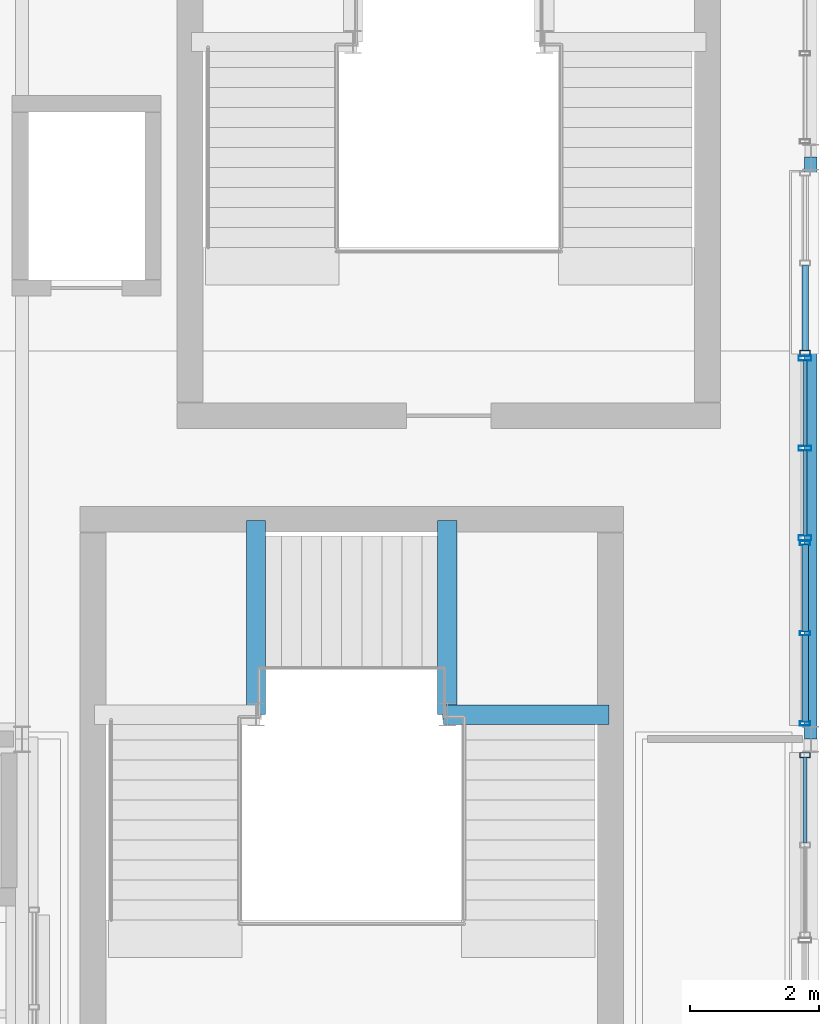
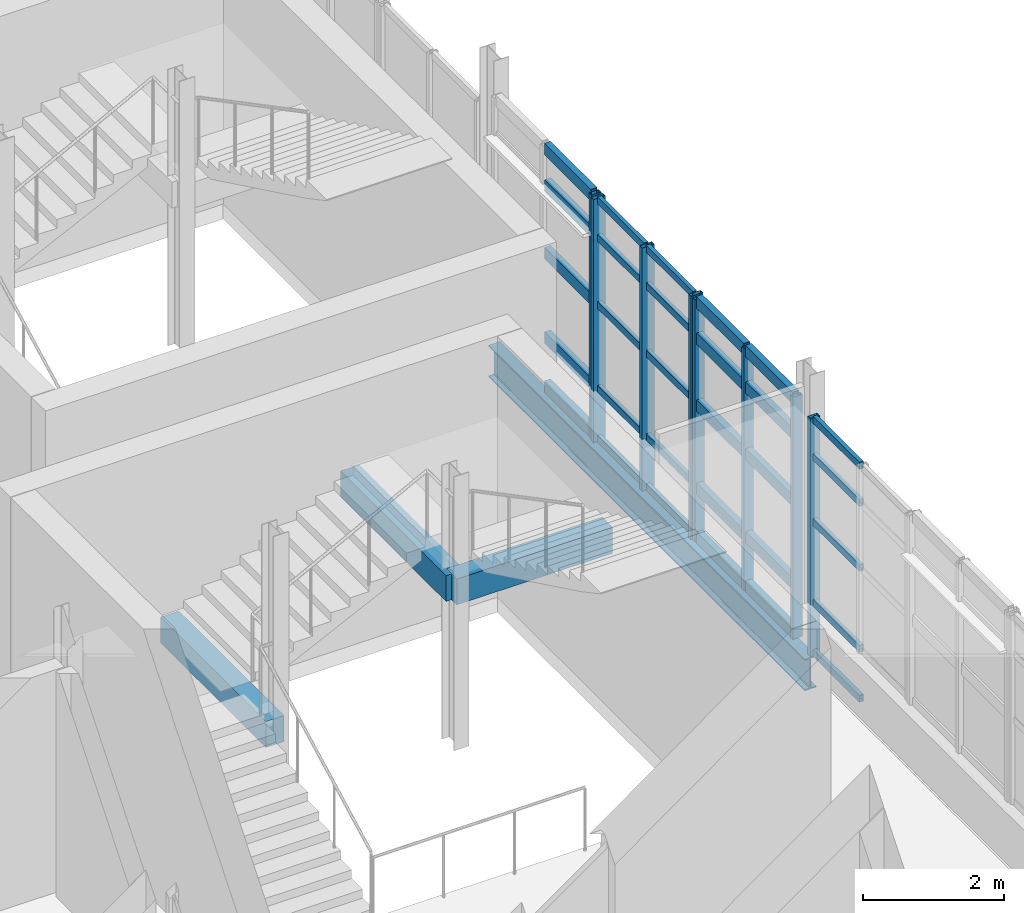
# One storey, part 55 of 100: 38 members, 4 beams, 4 elements without a shape of their own.
"""IFC4 building model written with IfcOpenShell, lengths in metres."""

from ifc_helpers import new_model, si_unit, derived_unit, direction, frame, origin, origin_2d, place, context, subcontext, project, spatial, rectangle, hollow_rectangle, i_section, extrude, material, layer, layer_set, material_profile, profile_set, type_object, element, aggregate, save


model = new_model("IFC4")

# Units and contexts
model_context = context("Model", 3, precision=1e-05, world=origin(), true_north=direction((0.0, 1.0)))
body_context = subcontext(model_context, "Body", "Model", "MODEL_VIEW")
ifc_project = project(units=[si_unit("LENGTHUNIT", "METRE"), si_unit("AREAUNIT", "SQUARE_METRE"), si_unit("VOLUMEUNIT", "CUBIC_METRE"), si_unit("PLANEANGLEUNIT", "RADIAN"), si_unit("MASSUNIT", "GRAM", prefix="KILO"), derived_unit("THERMALTRANSMITTANCEUNIT", [(si_unit("POWERUNIT", "WATT"), 1), (si_unit("LENGTHUNIT", "METRE"), -2), (si_unit("THERMODYNAMICTEMPERATUREUNIT", "KELVIN"), -1)])], contexts=[model_context])

# Site, building, storey
site_placement = place(None, origin())
site = spatial("IfcSite", under=ifc_project, at=site_placement, CompositionType="ELEMENT")
building_placement = place(site_placement, origin())
building = spatial("IfcBuilding", under=site, at=building_placement, Name="Nallur Shell Playhouse", CompositionType="ELEMENT")
storey_placement = place(building_placement, frame((0.0, 0.0, 10.199951171875)))
storey = spatial("IfcBuildingStorey", under=building, at=storey_placement, Name="L03", CompositionType="ELEMENT", Elevation=10.199951171875)

# Beams
ifc_material_1 = material(Name="Concrete M35", Category="concrete")
ifc_material_profile_1 = material_profile(ifc_material_1, rectangle(XDim=0.300048828125, YDim=0.449951171875, at=origin_2d()), Name="RC 300x450")
ifc_profile_set_1 = profile_set([ifc_material_profile_1], Name="Concrete M35")
beam_type_1 = type_object("IfcBeamType", Name="BM-SPN-300x450", PredefinedType="SPANDREL", material=ifc_profile_set_1)
beam_1_placement = place(storey_placement, frame((151.219970703125, 41.3798828125, 1.22509765625), z_axis=(0.0, 1.0, 0.0), x_axis=(-1.0, 0.0, 0.0)))
element("IfcBeam", 1, at=beam_1_placement, inside=storey, type_object=beam_type_1, Name="Stair ST-09-L03 L1 east bearer beam", PredefinedType="SPANDREL", context=body_context, shape_type="SweptSolid", body=[
    extrude(rectangle(XDim=0.300048828125, YDim=0.449951171875, at=origin_2d()), origin(), (0.0, 0.0, 1.0), 3.0),
])
beam_2_placement = place(storey_placement, frame((154.1201171875, 41.3798828125, 2.72509765625), z_axis=(1.0, 0.0, 0.0), x_axis=(0.0, 1.0, 0.0)))
element("IfcBeam", 2, at=beam_2_placement, inside=storey, type_object=beam_type_1, Name="Stair ST-09-L03 L2 south bearer beam", PredefinedType="SPANDREL", context=body_context, shape_type="SweptSolid", body=[
    extrude(rectangle(XDim=0.300048828125, YDim=0.449951171875, at=origin_2d()), origin(), (0.0, 0.0, 1.0), 2.559814453125),
])
beam_3_placement = place(storey_placement, frame((154.179931640625, 41.3798828125, 2.72509765625), z_axis=(0.0, 1.0, 0.0), x_axis=(-1.0, 0.0, 0.0)))
element("IfcBeam", 3, at=beam_3_placement, inside=storey, type_object=beam_type_1, Name="Stair ST-09-L03 L2 west bearer beam", PredefinedType="SPANDREL", context=body_context, shape_type="SweptSolid", body=[
    extrude(rectangle(XDim=0.300048828125, YDim=0.449951171875, at=origin_2d()), origin(), (0.0, 0.0, 1.0), 3.0),
])
ifc_material_2 = material(Name="Steel E350", Category="steel")
ifc_material_profile_2 = material_profile(ifc_material_2, i_section(OverallWidth=0.18994140625, OverallDepth=0.550048828125, WebThickness=0.01123046875, FlangeThickness=0.019287109375, FilletRadius=0.01806640625, at=origin_2d()), Name="ISMB 550")
ifc_profile_set_2 = profile_set([ifc_material_profile_2], Name="Steel E350")
beam_type_2 = type_object("IfcBeamType", Name="BM-ST-ISMB550", PredefinedType="BEAM", material=ifc_profile_set_2)
beam_4_placement = place(storey_placement, frame((159.800048828125, 41.0, -0.534912109375), z_axis=(0.0, 1.0, 0.0), x_axis=(-1.0, 0.0, 0.0)))
element("IfcBeam", 4, at=beam_4_placement, inside=storey, type_object=beam_type_2, Name="L03 girder Y-19-681", PredefinedType="BEAM", context=body_context, shape_type="SweptSolid", body=[
    extrude(i_section(OverallWidth=0.18994140625, OverallDepth=0.550048828125, WebThickness=0.01123046875, FlangeThickness=0.019287109375, FilletRadius=0.01806640625, at=origin_2d()), origin(), (0.0, 0.0, 1.0), 9.0),
])

# Curtain wall, member
ifc_material_3 = material(Name="Anodised Aluminium Double-Glazed Facade System", Category="aluminium")
ifc_layer_1 = layer(ifc_material_3, 0.176025390625)
ifc_layer_set_1 = layer_set([ifc_layer_1], Name="Anodised Aluminium Double-Glazed Facade System")
curtain_wall_type_1 = type_object("IfcCurtainWallType", Name="CW-UNIT-16", PredefinedType="NOTDEFINED", material=ifc_layer_set_1)
curtain_wall_1_placement = place(storey_placement, origin())
curtain_wall_1 = element("IfcCurtainWall", 5, at=curtain_wall_1_placement, inside=storey, type_object=curtain_wall_type_1, Name="Unitised curtain wall CW-080 (L03)", PredefinedType="NOTDEFINED")
ifc_material_4 = material(Name="Aluminium Alloy 6063-T6 Mullion", Category="aluminium")
ifc_material_profile_3 = material_profile(ifc_material_4, hollow_rectangle(XDim=0.080078125, YDim=0.159912109375, WallThickness=0.006103515625, at=origin_2d()), Name="RHS 160x80x6")
ifc_profile_set_3 = profile_set([ifc_material_profile_3], Name="Aluminium Alloy 6063-T6 Mullion")
member_type_1 = type_object("IfcMemberType", Name="MB-CW-MUL150", PredefinedType="MULLION", material=ifc_profile_set_3)
member_1_placement = place(storey_placement, frame((159.7099609375, 46.9755859375, -0.014892578125), z_axis=(0.0, 0.0, 1.0), x_axis=(0.0, -1.0, 0.0)))
member_1 = element("IfcMember", 6, at=member_1_placement, type_object=member_type_1, Name="CW-16 mullion 3", PredefinedType="MULLION", context=body_context, shape_type="SweptSolid", body=[
    extrude(hollow_rectangle(XDim=0.080078125, YDim=0.159912109375, WallThickness=0.006103515625, at=origin_2d()), origin(), (0.0, 0.0, 1.0), 4.243896484375),
])

ifc_layer_2 = layer(ifc_material_3, 0.1640625)
ifc_layer_set_2 = layer_set([ifc_layer_2], Name="Anodised Aluminium Double-Glazed Facade System")
curtain_wall_type_2 = type_object("IfcCurtainWallType", Name="CW-UNIT-19", PredefinedType="NOTDEFINED", material=ifc_layer_set_2)
curtain_wall_2_placement = place(storey_placement, origin())
curtain_wall_2 = element("IfcCurtainWall", 7, at=curtain_wall_2_placement, inside=storey, type_object=curtain_wall_type_2, Name="Unitised curtain wall CW-083 (L03)", PredefinedType="NOTDEFINED")
member_2_placement = place(storey_placement, frame((159.7099609375, 40.751953125, -0.014892578125), z_axis=(0.0, 0.0, 1.0), x_axis=(0.0, -1.0, 0.0)))
member_2 = element("IfcMember", 8, at=member_2_placement, type_object=member_type_1, Name="CW-19 mullion 1", PredefinedType="MULLION", context=body_context, shape_type="SweptSolid", body=[
    extrude(hollow_rectangle(XDim=0.080078125, YDim=0.159912109375, WallThickness=0.006103515625, at=origin_2d()), origin(), (0.0, 0.0, 1.0), 4.134033203125),
])

# Curtain wall, members
ifc_layer_3 = layer(ifc_material_3, 0.159912109375)
ifc_layer_set_3 = layer_set([ifc_layer_3], Name="Anodised Aluminium Double-Glazed Facade System")
curtain_wall_type_3 = type_object("IfcCurtainWallType", Name="CW-UNIT-18", PredefinedType="NOTDEFINED", material=ifc_layer_set_3)
curtain_wall_3_placement = place(storey_placement, origin())
curtain_wall_3 = element("IfcCurtainWall", 9, at=curtain_wall_3_placement, inside=storey, type_object=curtain_wall_type_3, Name="Unitised curtain wall CW-082 (L03)", PredefinedType="NOTDEFINED")
ifc_material_profile_4 = material_profile(ifc_material_4, hollow_rectangle(XDim=0.06494140625, YDim=0.159912109375, WallThickness=0.00390625, at=origin_2d()), Name="ALU 65x160x4")
ifc_profile_set_4 = profile_set([ifc_material_profile_4], Name="Aluminium Alloy 6063-T6 Mullion")
member_type_2 = type_object("IfcMemberType", Name="MB-CW-MUL160", PredefinedType="MULLION", material=ifc_profile_set_4)
member_3_placement = place(storey_placement, frame((159.7099609375, 44.03173828125, -0.014892578125), z_axis=(0.0, 0.0, 1.0), x_axis=(0.0, -1.0, 0.0)))
member_3 = element("IfcMember", 10, at=member_3_placement, type_object=member_type_2, Name="CW-18 mullion 1", PredefinedType="MULLION", context=body_context, shape_type="SweptSolid", body=[
    extrude(hollow_rectangle(XDim=0.06494140625, YDim=0.159912109375, WallThickness=0.00390625, at=origin_2d()), origin(), (0.0, 0.0, 1.0), 4.203857421875),
])
member_4_placement = place(storey_placement, frame((159.7099609375, 42.63623046875, -0.014892578125), z_axis=(0.0, 0.0, 1.0), x_axis=(0.0, -1.0, 0.0)))
member_4 = element("IfcMember", 11, at=member_4_placement, type_object=member_type_2, Name="CW-18 mullion 2", PredefinedType="MULLION", context=body_context, shape_type="SweptSolid", body=[
    extrude(hollow_rectangle(XDim=0.06494140625, YDim=0.159912109375, WallThickness=0.00390625, at=origin_2d()), origin(), (0.0, 0.0, 1.0), 4.203857421875),
])
member_5_placement = place(storey_placement, frame((159.7099609375, 41.240478515625, -0.014892578125), z_axis=(0.0, 0.0, 1.0), x_axis=(0.0, -1.0, 0.0)))
member_5 = element("IfcMember", 12, at=member_5_placement, type_object=member_type_2, Name="CW-18 mullion 3", PredefinedType="MULLION", context=body_context, shape_type="SweptSolid", body=[
    extrude(hollow_rectangle(XDim=0.06494140625, YDim=0.159912109375, WallThickness=0.00390625, at=origin_2d()), origin(), (0.0, 0.0, 1.0), 4.203857421875),
])

ifc_layer_4 = layer(ifc_material_3, 0.179931640625)
ifc_layer_set_4 = layer_set([ifc_layer_4], Name="Anodised Aluminium Double-Glazed Facade System")
curtain_wall_type_4 = type_object("IfcCurtainWallType", Name="CW-UNIT-17", PredefinedType="NOTDEFINED", material=ifc_layer_set_4)
curtain_wall_4_placement = place(storey_placement, origin())
curtain_wall_4 = element("IfcCurtainWall", 13, at=curtain_wall_4_placement, inside=storey, type_object=curtain_wall_type_4, Name="Unitised curtain wall CW-081 (L03)", PredefinedType="NOTDEFINED")
ifc_material_profile_5 = material_profile(ifc_material_4, hollow_rectangle(XDim=0.074951171875, YDim=0.199951171875, WallThickness=0.0048828125, at=origin_2d()), Name="ALU 75x200x5")
ifc_profile_set_5 = profile_set([ifc_material_profile_5], Name="Aluminium Alloy 6063-T6 Mullion")
member_type_3 = type_object("IfcMemberType", Name="MB-CW-MUL180", PredefinedType="MULLION", material=ifc_profile_set_5)
member_6_placement = place(storey_placement, frame((159.7099609375, 46.88818359375, -0.014892578125), z_axis=(0.0, 0.0, 1.0), x_axis=(0.0, -1.0, 0.0)))
member_6 = element("IfcMember", 14, at=member_6_placement, type_object=member_type_3, Name="CW-17 mullion 1", PredefinedType="MULLION", context=body_context, shape_type="SweptSolid", body=[
    extrude(hollow_rectangle(XDim=0.074951171875, YDim=0.199951171875, WallThickness=0.0048828125, at=origin_2d()), origin(), (0.0, 0.0, 1.0), 4.223876953125),
])
member_7_placement = place(storey_placement, frame((159.7099609375, 45.5, -0.014892578125), z_axis=(0.0, 0.0, 1.0), x_axis=(0.0, -1.0, 0.0)))
member_7 = element("IfcMember", 15, at=member_7_placement, type_object=member_type_3, Name="CW-17 mullion 2", PredefinedType="MULLION", context=body_context, shape_type="SweptSolid", body=[
    extrude(hollow_rectangle(XDim=0.074951171875, YDim=0.199951171875, WallThickness=0.0048828125, at=origin_2d()), origin(), (0.0, 0.0, 1.0), 4.223876953125),
])
member_8_placement = place(storey_placement, frame((159.7099609375, 44.11181640625, -0.014892578125), z_axis=(0.0, 0.0, 1.0), x_axis=(0.0, -1.0, 0.0)))
member_8 = element("IfcMember", 16, at=member_8_placement, type_object=member_type_3, Name="CW-17 mullion 3", PredefinedType="MULLION", context=body_context, shape_type="SweptSolid", body=[
    extrude(hollow_rectangle(XDim=0.074951171875, YDim=0.199951171875, WallThickness=0.0048828125, at=origin_2d()), origin(), (0.0, 0.0, 1.0), 4.223876953125),
])
ifc_material_5 = material(Name="Aluminium Alloy 6063-T6 Transom", Category="aluminium")
ifc_material_profile_6 = material_profile(ifc_material_5, hollow_rectangle(XDim=0.06494140625, YDim=0.1201171875, WallThickness=0.00390625, at=origin_2d()), Name="ALU 65x120x4")
ifc_profile_set_6 = profile_set([ifc_material_profile_6], Name="Aluminium Alloy 6063-T6 Transom")
member_type_4 = type_object("IfcMemberType", Name="MB-CW-TRN120", PredefinedType="USERDEFINED", material=ifc_profile_set_6)
member_9_placement = place(storey_placement, frame((159.7099609375, 46.858642578125, 0.032470703125), z_axis=(0.0, -1.0, 0.0), x_axis=(1.0, 0.0, 0.0)))
member_9 = element("IfcMember", 17, at=member_9_placement, type_object=member_type_4, Name="CW-17 transom 1.1", ObjectType="TRANSOM", PredefinedType="USERDEFINED", context=body_context, shape_type="SweptSolid", body=[
    extrude(hollow_rectangle(XDim=0.06494140625, YDim=0.1201171875, WallThickness=0.00390625, at=origin_2d()), origin(), (0.0, 0.0, 1.0), 1.3291015625),
])
member_10_placement = place(storey_placement, frame((159.7099609375, 46.858642578125, 0.900146484375), z_axis=(0.0, -1.0, 0.0), x_axis=(1.0, 0.0, 0.0)))
member_10 = element("IfcMember", 18, at=member_10_placement, type_object=member_type_4, Name="CW-17 transom 1.2", ObjectType="TRANSOM", PredefinedType="USERDEFINED", context=body_context, shape_type="SweptSolid", body=[
    extrude(hollow_rectangle(XDim=0.06494140625, YDim=0.1201171875, WallThickness=0.00390625, at=origin_2d()), origin(), (0.0, 0.0, 1.0), 1.3291015625),
])
member_11_placement = place(storey_placement, frame((159.7099609375, 46.858642578125, 2.35498046875), z_axis=(0.0, -1.0, 0.0), x_axis=(1.0, 0.0, 0.0)))
member_11 = element("IfcMember", 19, at=member_11_placement, type_object=member_type_4, Name="CW-17 transom 1.3", ObjectType="TRANSOM", PredefinedType="USERDEFINED", context=body_context, shape_type="SweptSolid", body=[
    extrude(hollow_rectangle(XDim=0.06494140625, YDim=0.1201171875, WallThickness=0.00390625, at=origin_2d()), origin(), (0.0, 0.0, 1.0), 1.3291015625),
])
member_12_placement = place(storey_placement, frame((159.7099609375, 46.858642578125, 3.525146484375), z_axis=(0.0, -1.0, 0.0), x_axis=(1.0, 0.0, 0.0)))
member_12 = element("IfcMember", 20, at=member_12_placement, type_object=member_type_4, Name="CW-17 transom 1.4", ObjectType="TRANSOM", PredefinedType="USERDEFINED", context=body_context, shape_type="SweptSolid", body=[
    extrude(hollow_rectangle(XDim=0.06494140625, YDim=0.1201171875, WallThickness=0.00390625, at=origin_2d()), origin(), (0.0, 0.0, 1.0), 1.3291015625),
])
member_13_placement = place(storey_placement, frame((159.7099609375, 46.858642578125, 4.172607421875), z_axis=(0.0, -1.0, 0.0), x_axis=(1.0, 0.0, 0.0)))
member_13 = element("IfcMember", 21, at=member_13_placement, type_object=member_type_4, Name="CW-17 transom 1.5", ObjectType="TRANSOM", PredefinedType="USERDEFINED", context=body_context, shape_type="SweptSolid", body=[
    extrude(hollow_rectangle(XDim=0.06494140625, YDim=0.1201171875, WallThickness=0.00390625, at=origin_2d()), origin(), (0.0, 0.0, 1.0), 1.3291015625),
])
member_14_placement = place(storey_placement, frame((159.7099609375, 45.470458984375, 0.032470703125), z_axis=(0.0, -1.0, 0.0), x_axis=(1.0, 0.0, 0.0)))
member_14 = element("IfcMember", 22, at=member_14_placement, type_object=member_type_4, Name="CW-17 transom 2.1", ObjectType="TRANSOM", PredefinedType="USERDEFINED", context=body_context, shape_type="SweptSolid", body=[
    extrude(hollow_rectangle(XDim=0.06494140625, YDim=0.1201171875, WallThickness=0.00390625, at=origin_2d()), origin(), (0.0, 0.0, 1.0), 1.3291015625),
])
member_15_placement = place(storey_placement, frame((159.7099609375, 45.470458984375, 0.900146484375), z_axis=(0.0, -1.0, 0.0), x_axis=(1.0, 0.0, 0.0)))
member_15 = element("IfcMember", 23, at=member_15_placement, type_object=member_type_4, Name="CW-17 transom 2.2", ObjectType="TRANSOM", PredefinedType="USERDEFINED", context=body_context, shape_type="SweptSolid", body=[
    extrude(hollow_rectangle(XDim=0.06494140625, YDim=0.1201171875, WallThickness=0.00390625, at=origin_2d()), origin(), (0.0, 0.0, 1.0), 1.3291015625),
])
member_16_placement = place(storey_placement, frame((159.7099609375, 45.470458984375, 2.35498046875), z_axis=(0.0, -1.0, 0.0), x_axis=(1.0, 0.0, 0.0)))
member_16 = element("IfcMember", 24, at=member_16_placement, type_object=member_type_4, Name="CW-17 transom 2.3", ObjectType="TRANSOM", PredefinedType="USERDEFINED", context=body_context, shape_type="SweptSolid", body=[
    extrude(hollow_rectangle(XDim=0.06494140625, YDim=0.1201171875, WallThickness=0.00390625, at=origin_2d()), origin(), (0.0, 0.0, 1.0), 1.3291015625),
])
member_17_placement = place(storey_placement, frame((159.7099609375, 45.470458984375, 3.525146484375), z_axis=(0.0, -1.0, 0.0), x_axis=(1.0, 0.0, 0.0)))
member_17 = element("IfcMember", 25, at=member_17_placement, type_object=member_type_4, Name="CW-17 transom 2.4", ObjectType="TRANSOM", PredefinedType="USERDEFINED", context=body_context, shape_type="SweptSolid", body=[
    extrude(hollow_rectangle(XDim=0.06494140625, YDim=0.1201171875, WallThickness=0.00390625, at=origin_2d()), origin(), (0.0, 0.0, 1.0), 1.3291015625),
])
member_18_placement = place(storey_placement, frame((159.7099609375, 45.470458984375, 4.172607421875), z_axis=(0.0, -1.0, 0.0), x_axis=(1.0, 0.0, 0.0)))
member_18 = element("IfcMember", 26, at=member_18_placement, type_object=member_type_4, Name="CW-17 transom 2.5", ObjectType="TRANSOM", PredefinedType="USERDEFINED", context=body_context, shape_type="SweptSolid", body=[
    extrude(hollow_rectangle(XDim=0.06494140625, YDim=0.1201171875, WallThickness=0.00390625, at=origin_2d()), origin(), (0.0, 0.0, 1.0), 1.3291015625),
])
aggregate(curtain_wall_4, [member_6, member_7, member_8, member_9, member_10, member_11, member_12, member_13, member_14, member_15, member_16, member_17, member_18])

# Member
member_19_placement = place(storey_placement, frame((159.7099609375, 40.719970703125, 0.032470703125), z_axis=(0.0, -1.0, 0.0), x_axis=(1.0, 0.0, 0.0)))
member_19 = element("IfcMember", 27, at=member_19_placement, type_object=member_type_4, Name="CW-19 transom 1.1", ObjectType="TRANSOM", PredefinedType="USERDEFINED", context=body_context, shape_type="SweptSolid", body=[
    extrude(hollow_rectangle(XDim=0.06494140625, YDim=0.1201171875, WallThickness=0.00390625, at=origin_2d()), origin(), (0.0, 0.0, 1.0), 1.32421875),
])

member_20_placement = place(storey_placement, frame((159.7099609375, 40.719970703125, 0.900146484375), z_axis=(0.0, -1.0, 0.0), x_axis=(1.0, 0.0, 0.0)))
member_20 = element("IfcMember", 28, at=member_20_placement, type_object=member_type_4, Name="CW-19 transom 1.2", ObjectType="TRANSOM", PredefinedType="USERDEFINED", context=body_context, shape_type="SweptSolid", body=[
    extrude(hollow_rectangle(XDim=0.06494140625, YDim=0.1201171875, WallThickness=0.00390625, at=origin_2d()), origin(), (0.0, 0.0, 1.0), 1.32421875),
])

member_21_placement = place(storey_placement, frame((159.7099609375, 40.719970703125, 2.303955078125), z_axis=(0.0, -1.0, 0.0), x_axis=(1.0, 0.0, 0.0)))
member_21 = element("IfcMember", 29, at=member_21_placement, type_object=member_type_4, Name="CW-19 transom 1.3", ObjectType="TRANSOM", PredefinedType="USERDEFINED", context=body_context, shape_type="SweptSolid", body=[
    extrude(hollow_rectangle(XDim=0.06494140625, YDim=0.1201171875, WallThickness=0.00390625, at=origin_2d()), origin(), (0.0, 0.0, 1.0), 1.32421875),
])

member_22_placement = place(storey_placement, frame((159.7099609375, 40.719970703125, 3.43505859375), z_axis=(0.0, -1.0, 0.0), x_axis=(1.0, 0.0, 0.0)))
member_22 = element("IfcMember", 30, at=member_22_placement, type_object=member_type_4, Name="CW-19 transom 1.4", ObjectType="TRANSOM", PredefinedType="USERDEFINED", context=body_context, shape_type="SweptSolid", body=[
    extrude(hollow_rectangle(XDim=0.06494140625, YDim=0.1201171875, WallThickness=0.00390625, at=origin_2d()), origin(), (0.0, 0.0, 1.0), 1.32421875),
])

member_23_placement = place(storey_placement, frame((159.7099609375, 40.719970703125, 4.08251953125), z_axis=(0.0, -1.0, 0.0), x_axis=(1.0, 0.0, 0.0)))
member_23 = element("IfcMember", 31, at=member_23_placement, type_object=member_type_4, Name="CW-19 transom 1.5", ObjectType="TRANSOM", PredefinedType="USERDEFINED", context=body_context, shape_type="SweptSolid", body=[
    extrude(hollow_rectangle(XDim=0.06494140625, YDim=0.1201171875, WallThickness=0.00390625, at=origin_2d()), origin(), (0.0, 0.0, 1.0), 1.32421875),
])

aggregate(curtain_wall_2, [member_2, member_19, member_20, member_21, member_22, member_23])

ifc_material_profile_7 = material_profile(ifc_material_5, hollow_rectangle(XDim=0.10009765625, YDim=0.199951171875, WallThickness=0.008056640625, at=origin_2d()), Name="RHS 200x100x8")
ifc_profile_set_7 = profile_set([ifc_material_profile_7], Name="Aluminium Alloy 6063-T6 Transom")
member_type_5 = type_object("IfcMemberType", Name="MB-CW-TRN140", PredefinedType="USERDEFINED", material=ifc_profile_set_7)
member_24_placement = place(storey_placement, frame((159.7099609375, 48.331787109375, 0.050048828125), z_axis=(0.0, -1.0, 0.0), x_axis=(1.0, 0.0, 0.0)))
member_24 = element("IfcMember", 32, at=member_24_placement, type_object=member_type_5, Name="CW-16 transom 2.1", ObjectType="TRANSOM", PredefinedType="USERDEFINED", context=body_context, shape_type="SweptSolid", body=[
    extrude(hollow_rectangle(XDim=0.10009765625, YDim=0.199951171875, WallThickness=0.008056640625, at=origin_2d()), origin(), (0.0, 0.0, 1.0), 1.323974609375),
])

member_25_placement = place(storey_placement, frame((159.7099609375, 48.331787109375, 0.900146484375), z_axis=(0.0, -1.0, 0.0), x_axis=(1.0, 0.0, 0.0)))
member_25 = element("IfcMember", 33, at=member_25_placement, type_object=member_type_5, Name="CW-16 transom 2.2", ObjectType="TRANSOM", PredefinedType="USERDEFINED", context=body_context, shape_type="SweptSolid", body=[
    extrude(hollow_rectangle(XDim=0.10009765625, YDim=0.199951171875, WallThickness=0.008056640625, at=origin_2d()), origin(), (0.0, 0.0, 1.0), 1.323974609375),
])

member_26_placement = place(storey_placement, frame((159.7099609375, 48.331787109375, 2.365966796875), z_axis=(0.0, -1.0, 0.0), x_axis=(1.0, 0.0, 0.0)))
member_26 = element("IfcMember", 34, at=member_26_placement, type_object=member_type_5, Name="CW-16 transom 2.3", ObjectType="TRANSOM", PredefinedType="USERDEFINED", context=body_context, shape_type="SweptSolid", body=[
    extrude(hollow_rectangle(XDim=0.10009765625, YDim=0.199951171875, WallThickness=0.008056640625, at=origin_2d()), origin(), (0.0, 0.0, 1.0), 1.323974609375),
])

member_27_placement = place(storey_placement, frame((159.7099609375, 48.331787109375, 3.545166015625), z_axis=(0.0, -1.0, 0.0), x_axis=(1.0, 0.0, 0.0)))
member_27 = element("IfcMember", 35, at=member_27_placement, type_object=member_type_5, Name="CW-16 transom 2.4", ObjectType="TRANSOM", PredefinedType="USERDEFINED", context=body_context, shape_type="SweptSolid", body=[
    extrude(hollow_rectangle(XDim=0.10009765625, YDim=0.199951171875, WallThickness=0.008056640625, at=origin_2d()), origin(), (0.0, 0.0, 1.0), 1.323974609375),
])

member_28_placement = place(storey_placement, frame((159.7099609375, 48.331787109375, 4.175048828125), z_axis=(0.0, -1.0, 0.0), x_axis=(1.0, 0.0, 0.0)))
member_28 = element("IfcMember", 36, at=member_28_placement, type_object=member_type_5, Name="CW-16 transom 2.5", ObjectType="TRANSOM", PredefinedType="USERDEFINED", context=body_context, shape_type="SweptSolid", body=[
    extrude(hollow_rectangle(XDim=0.10009765625, YDim=0.199951171875, WallThickness=0.008056640625, at=origin_2d()), origin(), (0.0, 0.0, 1.0), 1.323974609375),
])

aggregate(curtain_wall_1, [member_1, member_24, member_25, member_26, member_27, member_28])

member_29_placement = place(storey_placement, frame((159.7099609375, 44.00732421875, 0.050048828125), z_axis=(0.0, -1.0, 0.0), x_axis=(1.0, 0.0, 0.0)))
member_29 = element("IfcMember", 37, at=member_29_placement, type_object=member_type_5, Name="CW-18 transom 1.1", ObjectType="TRANSOM", PredefinedType="USERDEFINED", context=body_context, shape_type="SweptSolid", body=[
    extrude(hollow_rectangle(XDim=0.10009765625, YDim=0.199951171875, WallThickness=0.008056640625, at=origin_2d()), origin(), (0.0, 0.0, 1.0), 1.3466796875),
])

member_30_placement = place(storey_placement, frame((159.7099609375, 44.00732421875, 0.900146484375), z_axis=(0.0, -1.0, 0.0), x_axis=(1.0, 0.0, 0.0)))
member_30 = element("IfcMember", 38, at=member_30_placement, type_object=member_type_5, Name="CW-18 transom 1.2", ObjectType="TRANSOM", PredefinedType="USERDEFINED", context=body_context, shape_type="SweptSolid", body=[
    extrude(hollow_rectangle(XDim=0.10009765625, YDim=0.199951171875, WallThickness=0.008056640625, at=origin_2d()), origin(), (0.0, 0.0, 1.0), 1.3466796875),
])

member_31_placement = place(storey_placement, frame((159.7099609375, 44.00732421875, 2.343994140625), z_axis=(0.0, -1.0, 0.0), x_axis=(1.0, 0.0, 0.0)))
member_31 = element("IfcMember", 39, at=member_31_placement, type_object=member_type_5, Name="CW-18 transom 1.3", ObjectType="TRANSOM", PredefinedType="USERDEFINED", context=body_context, shape_type="SweptSolid", body=[
    extrude(hollow_rectangle(XDim=0.10009765625, YDim=0.199951171875, WallThickness=0.008056640625, at=origin_2d()), origin(), (0.0, 0.0, 1.0), 1.3466796875),
])

member_32_placement = place(storey_placement, frame((159.7099609375, 44.00732421875, 3.505126953125), z_axis=(0.0, -1.0, 0.0), x_axis=(1.0, 0.0, 0.0)))
member_32 = element("IfcMember", 40, at=member_32_placement, type_object=member_type_5, Name="CW-18 transom 1.4", ObjectType="TRANSOM", PredefinedType="USERDEFINED", context=body_context, shape_type="SweptSolid", body=[
    extrude(hollow_rectangle(XDim=0.10009765625, YDim=0.199951171875, WallThickness=0.008056640625, at=origin_2d()), origin(), (0.0, 0.0, 1.0), 1.3466796875),
])

member_33_placement = place(storey_placement, frame((159.7099609375, 44.00732421875, 4.135009765625), z_axis=(0.0, -1.0, 0.0), x_axis=(1.0, 0.0, 0.0)))
member_33 = element("IfcMember", 41, at=member_33_placement, type_object=member_type_5, Name="CW-18 transom 1.5", ObjectType="TRANSOM", PredefinedType="USERDEFINED", context=body_context, shape_type="SweptSolid", body=[
    extrude(hollow_rectangle(XDim=0.10009765625, YDim=0.199951171875, WallThickness=0.008056640625, at=origin_2d()), origin(), (0.0, 0.0, 1.0), 1.3466796875),
])

member_34_placement = place(storey_placement, frame((159.7099609375, 42.611572265625, 0.050048828125), z_axis=(0.0, -1.0, 0.0), x_axis=(1.0, 0.0, 0.0)))
member_34 = element("IfcMember", 42, at=member_34_placement, type_object=member_type_5, Name="CW-18 transom 2.1", ObjectType="TRANSOM", PredefinedType="USERDEFINED", context=body_context, shape_type="SweptSolid", body=[
    extrude(hollow_rectangle(XDim=0.10009765625, YDim=0.199951171875, WallThickness=0.008056640625, at=origin_2d()), origin(), (0.0, 0.0, 1.0), 1.3466796875),
])

member_35_placement = place(storey_placement, frame((159.7099609375, 42.611572265625, 0.900146484375), z_axis=(0.0, -1.0, 0.0), x_axis=(1.0, 0.0, 0.0)))
member_35 = element("IfcMember", 43, at=member_35_placement, type_object=member_type_5, Name="CW-18 transom 2.2", ObjectType="TRANSOM", PredefinedType="USERDEFINED", context=body_context, shape_type="SweptSolid", body=[
    extrude(hollow_rectangle(XDim=0.10009765625, YDim=0.199951171875, WallThickness=0.008056640625, at=origin_2d()), origin(), (0.0, 0.0, 1.0), 1.3466796875),
])

member_36_placement = place(storey_placement, frame((159.7099609375, 42.611572265625, 2.343994140625), z_axis=(0.0, -1.0, 0.0), x_axis=(1.0, 0.0, 0.0)))
member_36 = element("IfcMember", 44, at=member_36_placement, type_object=member_type_5, Name="CW-18 transom 2.3", ObjectType="TRANSOM", PredefinedType="USERDEFINED", context=body_context, shape_type="SweptSolid", body=[
    extrude(hollow_rectangle(XDim=0.10009765625, YDim=0.199951171875, WallThickness=0.008056640625, at=origin_2d()), origin(), (0.0, 0.0, 1.0), 1.3466796875),
])

member_37_placement = place(storey_placement, frame((159.7099609375, 42.611572265625, 3.505126953125), z_axis=(0.0, -1.0, 0.0), x_axis=(1.0, 0.0, 0.0)))
member_37 = element("IfcMember", 45, at=member_37_placement, type_object=member_type_5, Name="CW-18 transom 2.4", ObjectType="TRANSOM", PredefinedType="USERDEFINED", context=body_context, shape_type="SweptSolid", body=[
    extrude(hollow_rectangle(XDim=0.10009765625, YDim=0.199951171875, WallThickness=0.008056640625, at=origin_2d()), origin(), (0.0, 0.0, 1.0), 1.3466796875),
])

member_38_placement = place(storey_placement, frame((159.7099609375, 42.611572265625, 4.135009765625), z_axis=(0.0, -1.0, 0.0), x_axis=(1.0, 0.0, 0.0)))
member_38 = element("IfcMember", 46, at=member_38_placement, type_object=member_type_5, Name="CW-18 transom 2.5", ObjectType="TRANSOM", PredefinedType="USERDEFINED", context=body_context, shape_type="SweptSolid", body=[
    extrude(hollow_rectangle(XDim=0.10009765625, YDim=0.199951171875, WallThickness=0.008056640625, at=origin_2d()), origin(), (0.0, 0.0, 1.0), 1.3466796875),
])

aggregate(curtain_wall_3, [member_3, member_4, member_5, member_29, member_30, member_31, member_32, member_33, member_34, member_35, member_36, member_37, member_38])

save(model, "model.ifc")
